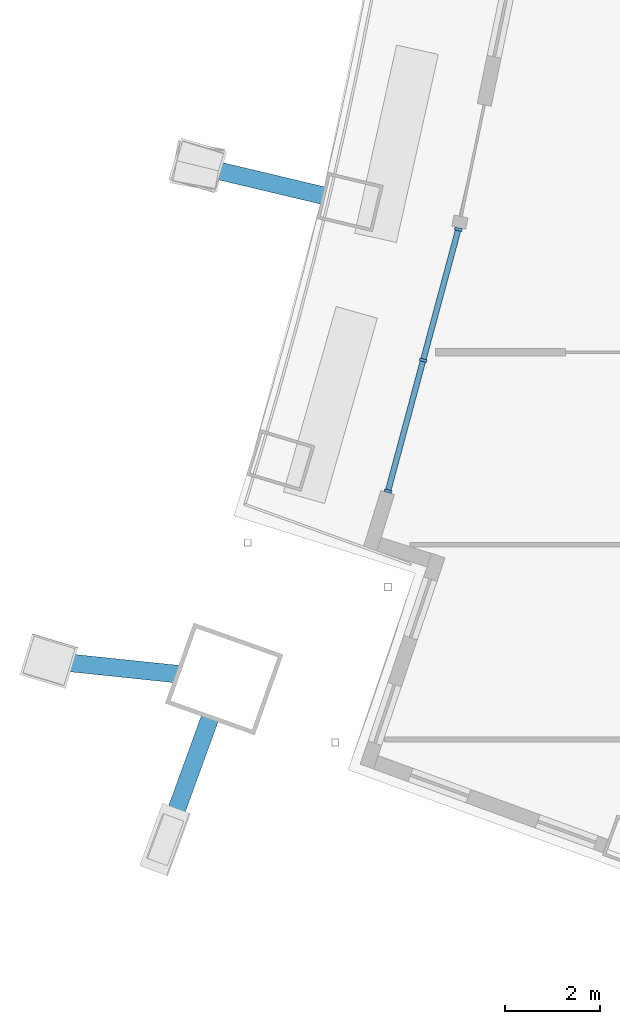
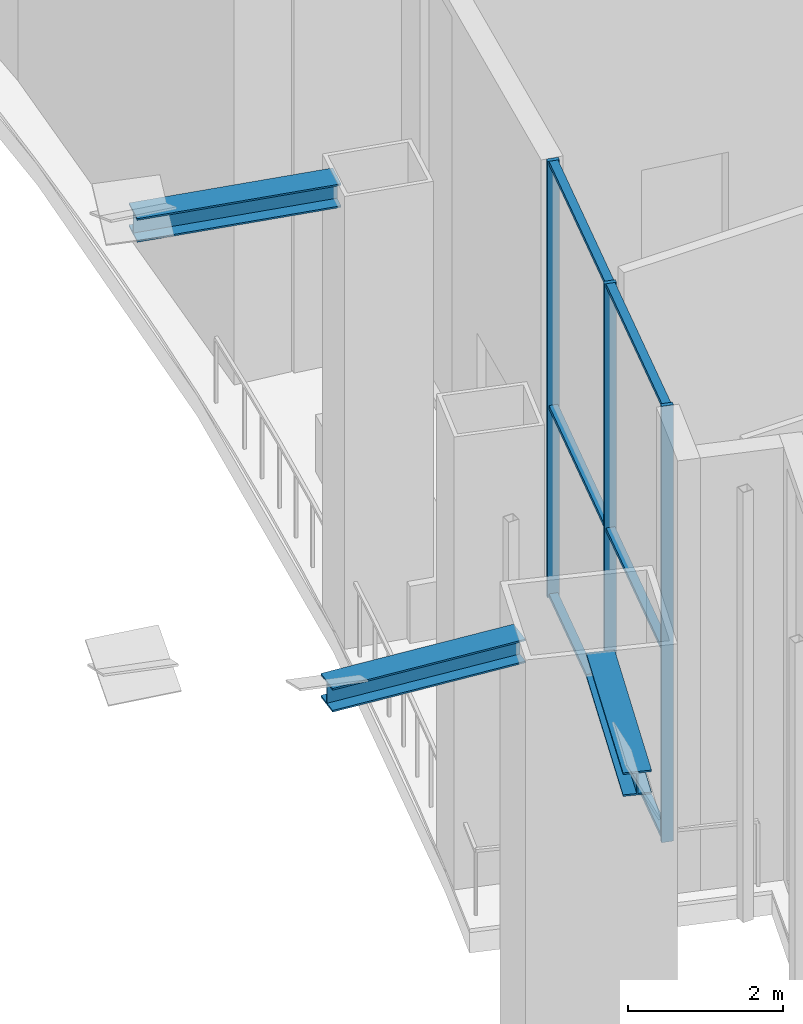
# One storey, part 9 of 27: 12 members, 1 element without a shape of its own.
"""IFC4 building model written with IfcOpenShell, lengths in metres."""

from ifc_helpers import new_model, si_unit, direction, frame, origin, origin_2d, place, context, subcontext, project, spatial, rectangle, i_section, extrude, material, layer, layer_set, material_profile, profile_set, type_object, element, aggregate, save


model = new_model("IFC4")

# Units and contexts
model_context = context("Model", 3, precision=1e-05, world=origin(), true_north=direction((0.0, 1.0)))
body_context = subcontext(model_context, "Body", "Model", "MODEL_VIEW")
ifc_project = project(units=[si_unit("LENGTHUNIT", "METRE"), si_unit("AREAUNIT", "SQUARE_METRE"), si_unit("VOLUMEUNIT", "CUBIC_METRE"), si_unit("PLANEANGLEUNIT", "RADIAN"), si_unit("MASSUNIT", "GRAM", prefix="KILO")], contexts=[model_context])

# Site, building, storey
site_placement = place(None, origin())
site = spatial("IfcSite", under=ifc_project, at=site_placement, CompositionType="ELEMENT")
building_placement = place(site_placement, origin())
building = spatial("IfcBuilding", under=site, at=building_placement, Name="Alderwake Tower", CompositionType="ELEMENT")
storey_placement = place(building_placement, frame((0.0, 0.0, 75.199951171875)))
storey = spatial("IfcBuildingStorey", under=building, at=storey_placement, Name="L18", CompositionType="ELEMENT", Elevation=75.199951171875)

# Members
ifc_material_1 = material(Name="Steel ASTM A992 Grade 50", Category="steel")
ifc_material_profile_1 = material_profile(ifc_material_1, i_section(OverallWidth=0.3740234375, OverallDepth=0.372314453125, WebThickness=0.016357421875, FlangeThickness=0.026123046875, at=origin_2d()), Name="W14X132")
ifc_profile_set_1 = profile_set([ifc_material_profile_1], Name="Steel ASTM A992 Grade 50")
member_type_1 = type_object("IfcMemberType", Name="Brace node stub W14X132", PredefinedType="MEMBER", material=ifc_profile_set_1)
member_1_placement = place(storey_placement, frame((10.357421875, 28.724365234375, 6.993896484375), z_axis=(-0.994599183003, 0.103790486891, 0.0), x_axis=(-0.103790486891, -0.994599183003, 0.0)))
element("IfcMember", 1, at=member_1_placement, inside=storey, type_object=member_type_1, Name="Brace node stub BS.RR01-C0.824", PredefinedType="MEMBER", context=body_context, shape_type="SweptSolid", body=[
    extrude(i_section(OverallWidth=0.3740234375, OverallDepth=0.372314453125, WebThickness=0.016357421875, FlangeThickness=0.026123046875, at=origin_2d()), origin(), (0.0, 0.0, 1.0), 2.728515625),
])
member_2_placement = place(storey_placement, frame((13.447021484375, 38.791259765625, 6.993896484375), z_axis=(-0.972907100996, 0.231196394506, 0.0), x_axis=(-0.231196394506, -0.972907100996, 0.0)))
element("IfcMember", 2, at=member_2_placement, inside=storey, type_object=member_type_1, Name="Brace node stub BS.RR03-C0.824", PredefinedType="MEMBER", context=body_context, shape_type="SweptSolid", body=[
    extrude(i_section(OverallWidth=0.3740234375, OverallDepth=0.372314453125, WebThickness=0.016357421875, FlangeThickness=0.026123046875, at=origin_2d()), origin(), (0.0, 0.0, 1.0), 2.749755859375),
])
member_3_placement = place(storey_placement, frame((11.040283203125, 27.823974609375, 6.993896484375), z_axis=(-0.341785786119, -0.939777886741, 0.0), x_axis=(0.939777886741, -0.341785786119, 0.0)))
element("IfcMember", 3, at=member_3_placement, inside=storey, type_object=member_type_1, Name="Brace node stub BS.SR01-C0.824", PredefinedType="MEMBER", context=body_context, shape_type="SweptSolid", body=[
    extrude(i_section(OverallWidth=0.3740234375, OverallDepth=0.372314453125, WebThickness=0.016357421875, FlangeThickness=0.026123046875, at=origin_2d()), origin(), (0.0, 0.0, 1.0), 2.7529296875),
])

# Curtain wall, members
ifc_material_2 = material(Name="Bronze tinted glass in aluminium frame", Category="aluminium")
ifc_layer = layer(ifc_material_2, 0.199951171875)
ifc_layer_set = layer_set([ifc_layer], Name="Curtain wall CW3 sky garden glazing")
curtain_wall_type = type_object("IfcCurtainWallType", Name="Curtain wall CW3 sky garden glazing", PredefinedType="NOTDEFINED", material=ifc_layer_set)
curtain_wall_placement = place(storey_placement, origin())
curtain_wall = element("IfcCurtainWall", 4, at=curtain_wall_placement, inside=storey, type_object=curtain_wall_type, Name="Curtain wall 2", PredefinedType="NOTDEFINED")
ifc_material_3 = material(Name="Aluminium bronze anodised", Category="aluminium")
ifc_material_profile_2 = material_profile(ifc_material_3, rectangle(XDim=0.159912109375, YDim=0.06005859375, at=origin_2d()), Name="Mullion MUC 60x160")
ifc_profile_set_2 = profile_set([ifc_material_profile_2], Name="Aluminium bronze anodised")
member_type_2 = type_object("IfcMemberType", Name="Mullion MUC 60x160", PredefinedType="MULLION", material=ifc_profile_set_2)
member_4_placement = place(storey_placement, frame((16.260498046875, 38.09033203125, 0.0), z_axis=(0.0, 0.0, 1.0), x_axis=(0.965747530447, -0.259483539814, 0.0)))
member_4 = element("IfcMember", 5, at=member_4_placement, type_object=member_type_2, Name="CW.02 mullion 1", PredefinedType="MULLION", context=body_context, shape_type="SweptSolid", body=[
    extrude(rectangle(XDim=0.159912109375, YDim=0.06005859375, at=origin_2d()), origin(), (0.0, 0.0, 1.0), 6.880126953125),
])
member_5_placement = place(storey_placement, frame((15.519775390625, 35.333740234375, 0.0), z_axis=(0.0, 0.0, 1.0), x_axis=(0.965747530447, -0.259483539814, 0.0)))
member_5 = element("IfcMember", 6, at=member_5_placement, type_object=member_type_2, Name="CW.02 mullion 2", PredefinedType="MULLION", context=body_context, shape_type="SweptSolid", body=[
    extrude(rectangle(XDim=0.159912109375, YDim=0.06005859375, at=origin_2d()), origin(), (0.0, 0.0, 1.0), 6.880126953125),
])
member_6_placement = place(storey_placement, frame((14.779296875, 32.577392578125, 0.0), z_axis=(0.0, 0.0, 1.0), x_axis=(0.965747530447, -0.259483539814, 0.0)))
member_6 = element("IfcMember", 7, at=member_6_placement, type_object=member_type_2, Name="CW.02 mullion 3", PredefinedType="MULLION", context=body_context, shape_type="SweptSolid", body=[
    extrude(rectangle(XDim=0.159912109375, YDim=0.06005859375, at=origin_2d()), origin(), (0.0, 0.0, 1.0), 6.880126953125),
])
ifc_material_4 = material(Name="Aluminium bronze anodised", Category="aluminium")
ifc_material_profile_3 = material_profile(ifc_material_4, rectangle(XDim=0.1201171875, YDim=0.06005859375, at=origin_2d()), Name="Transom TRC 60x120")
ifc_profile_set_3 = profile_set([ifc_material_profile_3], Name="Aluminium bronze anodised")
member_type_3 = type_object("IfcMemberType", Name="Transom TRC 60x120", PredefinedType="USERDEFINED", material=ifc_profile_set_3)
member_7_placement = place(storey_placement, frame((16.252685546875, 38.061279296875, 0.030029296875), z_axis=(-0.259500297844, -0.965743027632, 0.0), x_axis=(0.965743027632, -0.259500297844, 0.0)))
member_7 = element("IfcMember", 8, at=member_7_placement, type_object=member_type_3, Name="CW.02 transom 1.1", ObjectType="TRANSOM", PredefinedType="USERDEFINED", context=body_context, shape_type="SweptSolid", body=[
    extrude(rectangle(XDim=0.1201171875, YDim=0.06005859375, at=origin_2d()), origin(), (0.0, 0.0, 1.0), 2.794189453125),
])
member_8_placement = place(storey_placement, frame((16.252685546875, 38.061279296875, 3.0), z_axis=(-0.259500297844, -0.965743027632, 0.0), x_axis=(0.965743027632, -0.259500297844, 0.0)))
member_8 = element("IfcMember", 9, at=member_8_placement, type_object=member_type_3, Name="CW.02 transom 1.2", ObjectType="TRANSOM", PredefinedType="USERDEFINED", context=body_context, shape_type="SweptSolid", body=[
    extrude(rectangle(XDim=0.1201171875, YDim=0.06005859375, at=origin_2d()), origin(), (0.0, 0.0, 1.0), 2.794189453125),
])
member_9_placement = place(storey_placement, frame((16.252685546875, 38.061279296875, 6.85009765625), z_axis=(-0.259500297844, -0.965743027632, 0.0), x_axis=(0.965743027632, -0.259500297844, 0.0)))
member_9 = element("IfcMember", 10, at=member_9_placement, type_object=member_type_3, Name="CW.02 transom 1.3", ObjectType="TRANSOM", PredefinedType="USERDEFINED", context=body_context, shape_type="SweptSolid", body=[
    extrude(rectangle(XDim=0.1201171875, YDim=0.06005859375, at=origin_2d()), origin(), (0.0, 0.0, 1.0), 2.794189453125),
])
member_10_placement = place(storey_placement, frame((15.511962890625, 35.304931640625, 0.030029296875), z_axis=(-0.259500297844, -0.965743027632, 0.0), x_axis=(0.965743027632, -0.259500297844, 0.0)))
member_10 = element("IfcMember", 11, at=member_10_placement, type_object=member_type_3, Name="CW.02 transom 2.1", ObjectType="TRANSOM", PredefinedType="USERDEFINED", context=body_context, shape_type="SweptSolid", body=[
    extrude(rectangle(XDim=0.1201171875, YDim=0.06005859375, at=origin_2d()), origin(), (0.0, 0.0, 1.0), 2.794189453125),
])
member_11_placement = place(storey_placement, frame((15.511962890625, 35.304931640625, 3.0), z_axis=(-0.259500297844, -0.965743027632, 0.0), x_axis=(0.965743027632, -0.259500297844, 0.0)))
member_11 = element("IfcMember", 12, at=member_11_placement, type_object=member_type_3, Name="CW.02 transom 2.2", ObjectType="TRANSOM", PredefinedType="USERDEFINED", context=body_context, shape_type="SweptSolid", body=[
    extrude(rectangle(XDim=0.1201171875, YDim=0.06005859375, at=origin_2d()), origin(), (0.0, 0.0, 1.0), 2.794189453125),
])
member_12_placement = place(storey_placement, frame((15.511962890625, 35.304931640625, 6.85009765625), z_axis=(-0.259500297844, -0.965743027632, 0.0), x_axis=(0.965743027632, -0.259500297844, 0.0)))
member_12 = element("IfcMember", 13, at=member_12_placement, type_object=member_type_3, Name="CW.02 transom 2.3", ObjectType="TRANSOM", PredefinedType="USERDEFINED", context=body_context, shape_type="SweptSolid", body=[
    extrude(rectangle(XDim=0.1201171875, YDim=0.06005859375, at=origin_2d()), origin(), (0.0, 0.0, 1.0), 2.794189453125),
])
aggregate(curtain_wall, [member_4, member_5, member_6, member_7, member_8, member_9, member_10, member_11, member_12])

save(model, "model.ifc")
